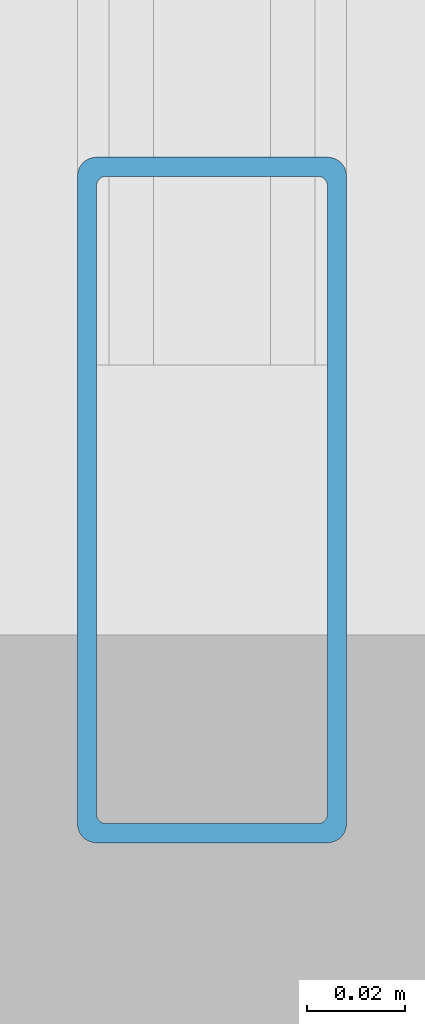
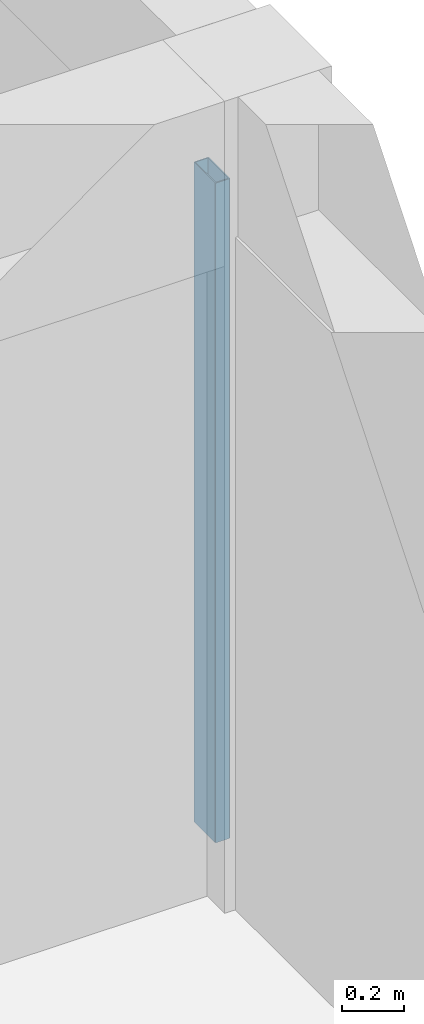
# One storey, part 8 of 45: 1 member, 1 element without a shape of its own.
"""IFC4 building model written with IfcOpenShell, lengths in metres."""

from ifc_helpers import new_model, si_unit, direction, frame, origin, origin_2d, place, context, subcontext, project, spatial, hollow_rectangle, extrude, material, material_profile, profile_set, type_object, element, aggregate, save


model = new_model("IFC4")

# Units and contexts
model_context = context("Model", 3, precision=1e-05, world=origin(), true_north=direction((0.0, 1.0)))
body_context = subcontext(model_context, "Body", "Model", "MODEL_VIEW")
ifc_project = project(units=[si_unit("LENGTHUNIT", "METRE"), si_unit("AREAUNIT", "SQUARE_METRE"), si_unit("VOLUMEUNIT", "CUBIC_METRE"), si_unit("PLANEANGLEUNIT", "RADIAN"), si_unit("MASSUNIT", "GRAM", prefix="KILO")], contexts=[model_context])

# Site, building, storey
site_placement = place(None, origin())
site = spatial("IfcSite", under=ifc_project, at=site_placement, CompositionType="ELEMENT")
building_placement = place(site_placement, origin())
building = spatial("IfcBuilding", under=site, at=building_placement, Name="Kernevlak Ridge Housing Community", CompositionType="ELEMENT")
storey_placement = place(building_placement, frame((0.0, 0.0, 21.199951171875)))
storey = spatial("IfcBuildingStorey", under=building, at=storey_placement, Name="L06", CompositionType="ELEMENT", Elevation=21.199951171875)

# Curtain wall, member
ifc_material_1 = material(Name="Aluminium EN AW-6060 anodised and laminated glass", Category="aluminium")
curtain_wall_type = type_object("IfcCurtainWallType", Name="CW-04", PredefinedType="NOTDEFINED", material=ifc_material_1)
curtain_wall_placement = place(storey_placement, origin())
curtain_wall = element("IfcCurtainWall", 1, at=curtain_wall_placement, inside=storey, type_object=curtain_wall_type, Name="Curtain wall CW-04 CW-L06-159", PredefinedType="NOTDEFINED")
ifc_material_2 = material(Name="Aluminium EN AW-6060 anodised", Category="aluminium")
ifc_material_profile = material_profile(ifc_material_2, hollow_rectangle(XDim=0.054931640625, YDim=0.139892578125, WallThickness=0.00390625, InnerFilletRadius=0.001953125, OuterFilletRadius=0.00390625, at=origin_2d()), Name="ALU 55x140x4")
ifc_profile_set = profile_set([ifc_material_profile], Name="Aluminium EN AW-6060 anodised")
member_type = type_object("IfcMemberType", Name="MU-01", PredefinedType="MULLION", material=ifc_profile_set)
member_placement = place(storey_placement, frame((42.0, 22.427490234375, 0.0), z_axis=(0.0, 0.0, 1.0), x_axis=(-1.0, 0.0, 0.0)))
member = element("IfcMember", 2, at=member_placement, type_object=member_type, Name="CW-04 mullion 1", PredefinedType="MULLION", context=body_context, shape_type="SweptSolid", body=[
    extrude(hollow_rectangle(XDim=0.054931640625, YDim=0.139892578125, WallThickness=0.00390625, InnerFilletRadius=0.001953125, OuterFilletRadius=0.00390625, at=origin_2d()), origin(), (0.0, 0.0, 1.0), 2.60009765625),
])
aggregate(curtain_wall, [member])

save(model, "model.ifc")
